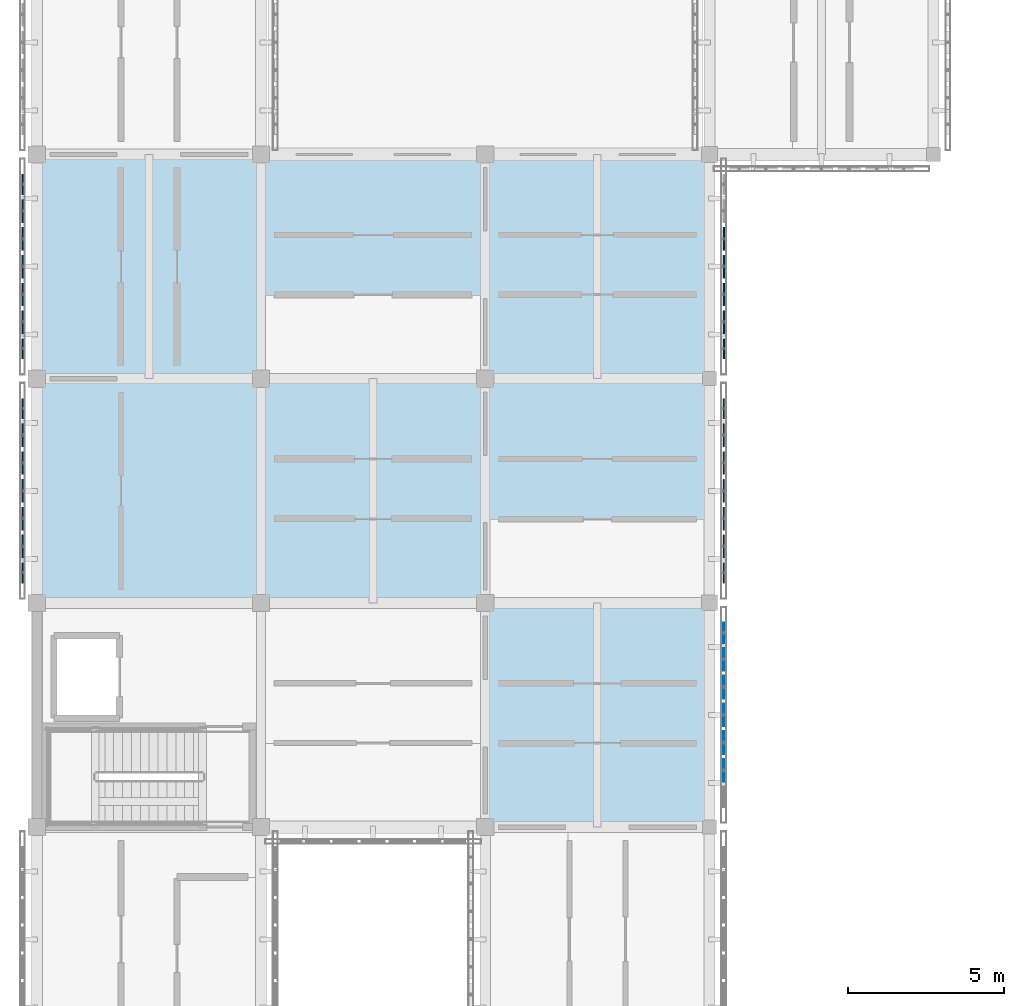
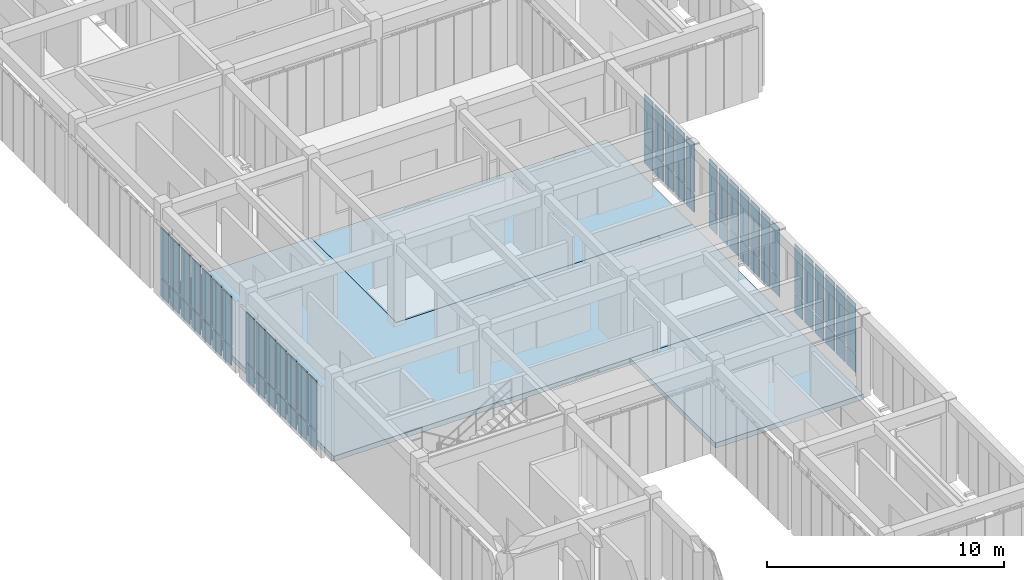
# One storey, part 46 of 91: 64 plates, 3 slabs, 5 elements without a shape of their own.
"""IFC4 building model written with IfcOpenShell, lengths in metres."""

from ifc_helpers import new_model, si_unit, direction, frame, origin, origin_2d, place, context, subcontext, project, spatial, polyline, rectangle, outline, extrude, material, layer, layer_set, type_object, element, aggregate, save


model = new_model("IFC4")

# Units and contexts
model_context = context("Model", 3, precision=1e-05, world=origin(), true_north=direction((0.0, 1.0)))
body_context = subcontext(model_context, "Body", "Model", "MODEL_VIEW")
ifc_project = project(units=[si_unit("LENGTHUNIT", "METRE"), si_unit("AREAUNIT", "SQUARE_METRE"), si_unit("VOLUMEUNIT", "CUBIC_METRE"), si_unit("PLANEANGLEUNIT", "RADIAN"), si_unit("MASSUNIT", "GRAM", prefix="KILO")], contexts=[model_context])

# Site, building, storey
site_placement = place(None, origin())
site = spatial("IfcSite", under=ifc_project, at=site_placement, CompositionType="ELEMENT")
building_placement = place(site_placement, origin())
building = spatial("IfcBuilding", under=site, at=building_placement, Name="Aldebral Square Health Centre", CompositionType="ELEMENT")
storey_placement = place(building_placement, frame((0.0, 0.0, 9.0)))
storey = spatial("IfcBuildingStorey", under=building, at=storey_placement, Name="L02", CompositionType="ELEMENT", Elevation=9.0)

# Curtain wall, plates
ifc_material_1 = material(Name="Aluminium and low-E solar glass", Category="aluminium")
curtain_wall_type = type_object("IfcCurtainWallType", Name="CW-FIN-SYS", PredefinedType="USERDEFINED", material=ifc_material_1)
curtain_wall_1_placement = place(storey_placement, origin())
curtain_wall_1 = element("IfcCurtainWall", 1, at=curtain_wall_1_placement, inside=storey, type_object=curtain_wall_type, Name="L02 V6 finned curtain wall L02-V6-02-04-E", ObjectType="SOLAR_CURTAIN_WALL", PredefinedType="USERDEFINED")
ifc_material_2 = material(Name="Solar-control low-E double glass", Category="glass")
ifc_layer_1 = layer(ifc_material_2, 0.030029296875, Name="Solar-control low-E double glass", Category="glass")
ifc_layer_set_1 = layer_set([ifc_layer_1], Name="Solar-control low-E double glass")
plate_type_1 = type_object("IfcPlateType", Name="CWP-GLZ-2", PredefinedType="CURTAIN_PANEL", material=ifc_layer_set_1)
plate_1_placement = place(storey_placement, frame((22.06005859375, 30.6171875, 0.074951171875), z_axis=(0.0, 0.0, 1.0), x_axis=(0.0, 1.0, 0.0)))
plate_1 = element("IfcPlate", 2, at=plate_1_placement, type_object=plate_type_1, Name="CW1 panel 2.1", PredefinedType="CURTAIN_PANEL", context=body_context, shape_type="SweptSolid", body=[
    extrude(rectangle(XDim=0.7314453125, YDim=0.030029296875, at=origin_2d()), origin(), (0.0, 0.0, 1.0), 0.9375),
])
plate_2_placement = place(storey_placement, frame((22.06005859375, 30.6171875, 1.08740234375), z_axis=(0.0, 0.0, 1.0), x_axis=(0.0, 1.0, 0.0)))
plate_2 = element("IfcPlate", 3, at=plate_2_placement, type_object=plate_type_1, Name="CW1 panel 2.2", PredefinedType="CURTAIN_PANEL", context=body_context, shape_type="SweptSolid", body=[
    extrude(rectangle(XDim=0.7314453125, YDim=0.030029296875, at=origin_2d()), origin(), (0.0, 0.0, 1.0), 2.527587890625),
])
plate_3_placement = place(storey_placement, frame((22.06005859375, 31.508544921875, 0.074951171875), z_axis=(0.0, 0.0, 1.0), x_axis=(0.0, 1.0, 0.0)))
plate_3 = element("IfcPlate", 4, at=plate_3_placement, type_object=plate_type_1, Name="CW1 panel 3.1", PredefinedType="CURTAIN_PANEL", context=body_context, shape_type="SweptSolid", body=[
    extrude(rectangle(XDim=0.7314453125, YDim=0.030029296875, at=origin_2d()), origin(), (0.0, 0.0, 1.0), 0.9375),
])
plate_4_placement = place(storey_placement, frame((22.06005859375, 31.508544921875, 1.08740234375), z_axis=(0.0, 0.0, 1.0), x_axis=(0.0, 1.0, 0.0)))
plate_4 = element("IfcPlate", 5, at=plate_4_placement, type_object=plate_type_1, Name="CW1 panel 3.2", PredefinedType="CURTAIN_PANEL", context=body_context, shape_type="SweptSolid", body=[
    extrude(rectangle(XDim=0.7314453125, YDim=0.030029296875, at=origin_2d()), origin(), (0.0, 0.0, 1.0), 2.527587890625),
])
plate_5_placement = place(storey_placement, frame((22.06005859375, 32.39990234375, 0.074951171875), z_axis=(0.0, 0.0, 1.0), x_axis=(0.0, 1.0, 0.0)))
plate_5 = element("IfcPlate", 6, at=plate_5_placement, type_object=plate_type_1, Name="CW1 panel 4.1", PredefinedType="CURTAIN_PANEL", context=body_context, shape_type="SweptSolid", body=[
    extrude(rectangle(XDim=0.7314453125, YDim=0.030029296875, at=origin_2d()), origin(), (0.0, 0.0, 1.0), 0.9375),
])
plate_6_placement = place(storey_placement, frame((22.06005859375, 32.39990234375, 1.08740234375), z_axis=(0.0, 0.0, 1.0), x_axis=(0.0, 1.0, 0.0)))
plate_6 = element("IfcPlate", 7, at=plate_6_placement, type_object=plate_type_1, Name="CW1 panel 4.2", PredefinedType="CURTAIN_PANEL", context=body_context, shape_type="SweptSolid", body=[
    extrude(rectangle(XDim=0.7314453125, YDim=0.030029296875, at=origin_2d()), origin(), (0.0, 0.0, 1.0), 2.527587890625),
])
plate_7_placement = place(storey_placement, frame((22.06005859375, 33.29150390625, 0.074951171875), z_axis=(0.0, 0.0, 1.0), x_axis=(0.0, 1.0, 0.0)))
plate_7 = element("IfcPlate", 8, at=plate_7_placement, type_object=plate_type_1, Name="CW1 panel 5.1", PredefinedType="CURTAIN_PANEL", context=body_context, shape_type="SweptSolid", body=[
    extrude(rectangle(XDim=0.7314453125, YDim=0.030029296875, at=origin_2d()), origin(), (0.0, 0.0, 1.0), 0.9375),
])
plate_8_placement = place(storey_placement, frame((22.06005859375, 33.29150390625, 1.08740234375), z_axis=(0.0, 0.0, 1.0), x_axis=(0.0, 1.0, 0.0)))
plate_8 = element("IfcPlate", 9, at=plate_8_placement, type_object=plate_type_1, Name="CW1 panel 5.2", PredefinedType="CURTAIN_PANEL", context=body_context, shape_type="SweptSolid", body=[
    extrude(rectangle(XDim=0.7314453125, YDim=0.030029296875, at=origin_2d()), origin(), (0.0, 0.0, 1.0), 2.527587890625),
])
plate_9_placement = place(storey_placement, frame((22.06005859375, 34.182861328125, 0.074951171875), z_axis=(0.0, 0.0, 1.0), x_axis=(0.0, 1.0, 0.0)))
plate_9 = element("IfcPlate", 10, at=plate_9_placement, type_object=plate_type_1, Name="CW1 panel 6.1", PredefinedType="CURTAIN_PANEL", context=body_context, shape_type="SweptSolid", body=[
    extrude(rectangle(XDim=0.7314453125, YDim=0.030029296875, at=origin_2d()), origin(), (0.0, 0.0, 1.0), 0.9375),
])
plate_10_placement = place(storey_placement, frame((22.06005859375, 34.182861328125, 1.08740234375), z_axis=(0.0, 0.0, 1.0), x_axis=(0.0, 1.0, 0.0)))
plate_10 = element("IfcPlate", 11, at=plate_10_placement, type_object=plate_type_1, Name="CW1 panel 6.2", PredefinedType="CURTAIN_PANEL", context=body_context, shape_type="SweptSolid", body=[
    extrude(rectangle(XDim=0.7314453125, YDim=0.030029296875, at=origin_2d()), origin(), (0.0, 0.0, 1.0), 2.527587890625),
])
plate_11_placement = place(storey_placement, frame((22.06005859375, 35.0341796875, 0.074951171875), z_axis=(0.0, 0.0, 1.0), x_axis=(0.0, 1.0, 0.0)))
plate_11 = element("IfcPlate", 12, at=plate_11_placement, type_object=plate_type_1, Name="CW1 panel 7.1", PredefinedType="CURTAIN_PANEL", context=body_context, shape_type="SweptSolid", body=[
    extrude(rectangle(XDim=0.6513671875, YDim=0.030029296875, at=origin_2d()), origin(), (0.0, 0.0, 1.0), 0.9375),
])
plate_12_placement = place(storey_placement, frame((22.06005859375, 35.0341796875, 1.08740234375), z_axis=(0.0, 0.0, 1.0), x_axis=(0.0, 1.0, 0.0)))
plate_12 = element("IfcPlate", 13, at=plate_12_placement, type_object=plate_type_1, Name="CW1 panel 7.2", PredefinedType="CURTAIN_PANEL", context=body_context, shape_type="SweptSolid", body=[
    extrude(rectangle(XDim=0.6513671875, YDim=0.030029296875, at=origin_2d()), origin(), (0.0, 0.0, 1.0), 2.527587890625),
])
aggregate(curtain_wall_1, [plate_1, plate_2, plate_3, plate_4, plate_5, plate_6, plate_7, plate_8, plate_9, plate_10, plate_11, plate_12])

curtain_wall_2_placement = place(storey_placement, origin())
curtain_wall_2 = element("IfcCurtainWall", 14, at=curtain_wall_2_placement, inside=storey, type_object=curtain_wall_type, Name="L02 V6 finned curtain wall L02-V6-00-05-W", ObjectType="SOLAR_CURTAIN_WALL", PredefinedType="USERDEFINED")
ifc_layer_2 = layer(ifc_material_2, 0.0400390625, Name="Solar-control low-E double glass", Category="glass")
ifc_layer_set_2 = layer_set([ifc_layer_2], Name="Solar-control low-E double glass")
plate_type_2 = type_object("IfcPlateType", Name="CWP-GLZ-3", PredefinedType="CURTAIN_PANEL", material=ifc_layer_set_2)
plate_13_placement = place(storey_placement, frame((-0.4599609375, 42.234375, 0.074951171875), z_axis=(0.0, 0.0, 1.0), x_axis=(0.0, -1.0, 0.0)))
plate_13 = element("IfcPlate", 15, at=plate_13_placement, type_object=plate_type_2, Name="CW1 panel 1.1", PredefinedType="CURTAIN_PANEL", context=body_context, shape_type="SweptSolid", body=[
    extrude(rectangle(XDim=0.6513671875, YDim=0.0400390625, at=origin_2d()), origin(), (0.0, 0.0, 1.0), 0.9375),
])
plate_14_placement = place(storey_placement, frame((-0.4599609375, 42.234375, 1.08740234375), z_axis=(0.0, 0.0, 1.0), x_axis=(0.0, -1.0, 0.0)))
plate_14 = element("IfcPlate", 16, at=plate_14_placement, type_object=plate_type_2, Name="CW1 panel 1.2", PredefinedType="CURTAIN_PANEL", context=body_context, shape_type="SweptSolid", body=[
    extrude(rectangle(XDim=0.6513671875, YDim=0.0400390625, at=origin_2d()), origin(), (0.0, 0.0, 1.0), 2.527587890625),
])
plate_15_placement = place(storey_placement, frame((-0.4599609375, 41.3828125, 0.074951171875), z_axis=(0.0, 0.0, 1.0), x_axis=(0.0, -1.0, 0.0)))
plate_15 = element("IfcPlate", 17, at=plate_15_placement, type_object=plate_type_2, Name="CW1 panel 2.1", PredefinedType="CURTAIN_PANEL", context=body_context, shape_type="SweptSolid", body=[
    extrude(rectangle(XDim=0.7314453125, YDim=0.0400390625, at=origin_2d()), origin(), (0.0, 0.0, 1.0), 0.9375),
])
plate_16_placement = place(storey_placement, frame((-0.4599609375, 41.3828125, 1.08740234375), z_axis=(0.0, 0.0, 1.0), x_axis=(0.0, -1.0, 0.0)))
plate_16 = element("IfcPlate", 18, at=plate_16_placement, type_object=plate_type_2, Name="CW1 panel 2.2", PredefinedType="CURTAIN_PANEL", context=body_context, shape_type="SweptSolid", body=[
    extrude(rectangle(XDim=0.7314453125, YDim=0.0400390625, at=origin_2d()), origin(), (0.0, 0.0, 1.0), 2.527587890625),
])
plate_17_placement = place(storey_placement, frame((-0.4599609375, 40.491455078125, 0.074951171875), z_axis=(0.0, 0.0, 1.0), x_axis=(0.0, -1.0, 0.0)))
plate_17 = element("IfcPlate", 19, at=plate_17_placement, type_object=plate_type_2, Name="CW1 panel 3.1", PredefinedType="CURTAIN_PANEL", context=body_context, shape_type="SweptSolid", body=[
    extrude(rectangle(XDim=0.7314453125, YDim=0.0400390625, at=origin_2d()), origin(), (0.0, 0.0, 1.0), 0.9375),
])
plate_18_placement = place(storey_placement, frame((-0.4599609375, 40.491455078125, 1.08740234375), z_axis=(0.0, 0.0, 1.0), x_axis=(0.0, -1.0, 0.0)))
plate_18 = element("IfcPlate", 20, at=plate_18_placement, type_object=plate_type_2, Name="CW1 panel 3.2", PredefinedType="CURTAIN_PANEL", context=body_context, shape_type="SweptSolid", body=[
    extrude(rectangle(XDim=0.7314453125, YDim=0.0400390625, at=origin_2d()), origin(), (0.0, 0.0, 1.0), 2.527587890625),
])
plate_19_placement = place(storey_placement, frame((-0.4599609375, 39.60009765625, 0.074951171875), z_axis=(0.0, 0.0, 1.0), x_axis=(0.0, -1.0, 0.0)))
plate_19 = element("IfcPlate", 21, at=plate_19_placement, type_object=plate_type_2, Name="CW1 panel 4.1", PredefinedType="CURTAIN_PANEL", context=body_context, shape_type="SweptSolid", body=[
    extrude(rectangle(XDim=0.7314453125, YDim=0.0400390625, at=origin_2d()), origin(), (0.0, 0.0, 1.0), 0.9375),
])
plate_20_placement = place(storey_placement, frame((-0.4599609375, 39.60009765625, 1.08740234375), z_axis=(0.0, 0.0, 1.0), x_axis=(0.0, -1.0, 0.0)))
plate_20 = element("IfcPlate", 22, at=plate_20_placement, type_object=plate_type_2, Name="CW1 panel 4.2", PredefinedType="CURTAIN_PANEL", context=body_context, shape_type="SweptSolid", body=[
    extrude(rectangle(XDim=0.7314453125, YDim=0.0400390625, at=origin_2d()), origin(), (0.0, 0.0, 1.0), 2.527587890625),
])
plate_21_placement = place(storey_placement, frame((-0.4599609375, 38.70849609375, 0.074951171875), z_axis=(0.0, 0.0, 1.0), x_axis=(0.0, -1.0, 0.0)))
plate_21 = element("IfcPlate", 23, at=plate_21_placement, type_object=plate_type_2, Name="CW1 panel 5.1", PredefinedType="CURTAIN_PANEL", context=body_context, shape_type="SweptSolid", body=[
    extrude(rectangle(XDim=0.7314453125, YDim=0.0400390625, at=origin_2d()), origin(), (0.0, 0.0, 1.0), 0.9375),
])
plate_22_placement = place(storey_placement, frame((-0.4599609375, 38.70849609375, 1.08740234375), z_axis=(0.0, 0.0, 1.0), x_axis=(0.0, -1.0, 0.0)))
plate_22 = element("IfcPlate", 24, at=plate_22_placement, type_object=plate_type_2, Name="CW1 panel 5.2", PredefinedType="CURTAIN_PANEL", context=body_context, shape_type="SweptSolid", body=[
    extrude(rectangle(XDim=0.7314453125, YDim=0.0400390625, at=origin_2d()), origin(), (0.0, 0.0, 1.0), 2.527587890625),
])
plate_23_placement = place(storey_placement, frame((-0.4599609375, 37.817138671875, 0.074951171875), z_axis=(0.0, 0.0, 1.0), x_axis=(0.0, -1.0, 0.0)))
plate_23 = element("IfcPlate", 25, at=plate_23_placement, type_object=plate_type_2, Name="CW1 panel 6.1", PredefinedType="CURTAIN_PANEL", context=body_context, shape_type="SweptSolid", body=[
    extrude(rectangle(XDim=0.7314453125, YDim=0.0400390625, at=origin_2d()), origin(), (0.0, 0.0, 1.0), 0.9375),
])
plate_24_placement = place(storey_placement, frame((-0.4599609375, 37.817138671875, 1.08740234375), z_axis=(0.0, 0.0, 1.0), x_axis=(0.0, -1.0, 0.0)))
plate_24 = element("IfcPlate", 26, at=plate_24_placement, type_object=plate_type_2, Name="CW1 panel 6.2", PredefinedType="CURTAIN_PANEL", context=body_context, shape_type="SweptSolid", body=[
    extrude(rectangle(XDim=0.7314453125, YDim=0.0400390625, at=origin_2d()), origin(), (0.0, 0.0, 1.0), 2.527587890625),
])
plate_25_placement = place(storey_placement, frame((-0.4599609375, 36.9658203125, 0.074951171875), z_axis=(0.0, 0.0, 1.0), x_axis=(0.0, -1.0, 0.0)))
plate_25 = element("IfcPlate", 27, at=plate_25_placement, type_object=plate_type_2, Name="CW1 panel 7.1", PredefinedType="CURTAIN_PANEL", context=body_context, shape_type="SweptSolid", body=[
    extrude(rectangle(XDim=0.6513671875, YDim=0.0400390625, at=origin_2d()), origin(), (0.0, 0.0, 1.0), 0.9375),
])
plate_26_placement = place(storey_placement, frame((-0.4599609375, 36.9658203125, 1.08740234375), z_axis=(0.0, 0.0, 1.0), x_axis=(0.0, -1.0, 0.0)))
plate_26 = element("IfcPlate", 28, at=plate_26_placement, type_object=plate_type_2, Name="CW1 panel 7.2", PredefinedType="CURTAIN_PANEL", context=body_context, shape_type="SweptSolid", body=[
    extrude(rectangle(XDim=0.6513671875, YDim=0.0400390625, at=origin_2d()), origin(), (0.0, 0.0, 1.0), 2.527587890625),
])
aggregate(curtain_wall_2, [plate_13, plate_14, plate_15, plate_16, plate_17, plate_18, plate_19, plate_20, plate_21, plate_22, plate_23, plate_24, plate_25, plate_26])

curtain_wall_3_placement = place(storey_placement, origin())
curtain_wall_3 = element("IfcCurtainWall", 29, at=curtain_wall_3_placement, inside=storey, type_object=curtain_wall_type, Name="L02 V6 finned curtain wall L02-V6-02-05-E", ObjectType="SOLAR_CURTAIN_WALL", PredefinedType="USERDEFINED")
plate_27_placement = place(storey_placement, frame((22.06005859375, 36.9658203125, 0.074951171875), z_axis=(0.0, 0.0, 1.0), x_axis=(0.0, 1.0, 0.0)))
plate_27 = element("IfcPlate", 30, at=plate_27_placement, type_object=plate_type_2, Name="CW1 panel 1.1", PredefinedType="CURTAIN_PANEL", context=body_context, shape_type="SweptSolid", body=[
    extrude(rectangle(XDim=0.6513671875, YDim=0.0400390625, at=origin_2d()), origin(), (0.0, 0.0, 1.0), 0.9375),
])
plate_28_placement = place(storey_placement, frame((22.06005859375, 36.9658203125, 1.08740234375), z_axis=(0.0, 0.0, 1.0), x_axis=(0.0, 1.0, 0.0)))
plate_28 = element("IfcPlate", 31, at=plate_28_placement, type_object=plate_type_2, Name="CW1 panel 1.2", PredefinedType="CURTAIN_PANEL", context=body_context, shape_type="SweptSolid", body=[
    extrude(rectangle(XDim=0.6513671875, YDim=0.0400390625, at=origin_2d()), origin(), (0.0, 0.0, 1.0), 2.527587890625),
])
plate_29_placement = place(storey_placement, frame((22.06005859375, 37.817138671875, 0.074951171875), z_axis=(0.0, 0.0, 1.0), x_axis=(0.0, 1.0, 0.0)))
plate_29 = element("IfcPlate", 32, at=plate_29_placement, type_object=plate_type_2, Name="CW1 panel 2.1", PredefinedType="CURTAIN_PANEL", context=body_context, shape_type="SweptSolid", body=[
    extrude(rectangle(XDim=0.7314453125, YDim=0.0400390625, at=origin_2d()), origin(), (0.0, 0.0, 1.0), 0.9375),
])
plate_30_placement = place(storey_placement, frame((22.06005859375, 37.817138671875, 1.08740234375), z_axis=(0.0, 0.0, 1.0), x_axis=(0.0, 1.0, 0.0)))
plate_30 = element("IfcPlate", 33, at=plate_30_placement, type_object=plate_type_2, Name="CW1 panel 2.2", PredefinedType="CURTAIN_PANEL", context=body_context, shape_type="SweptSolid", body=[
    extrude(rectangle(XDim=0.7314453125, YDim=0.0400390625, at=origin_2d()), origin(), (0.0, 0.0, 1.0), 2.527587890625),
])
plate_31_placement = place(storey_placement, frame((22.06005859375, 38.70849609375, 0.074951171875), z_axis=(0.0, 0.0, 1.0), x_axis=(0.0, 1.0, 0.0)))
plate_31 = element("IfcPlate", 34, at=plate_31_placement, type_object=plate_type_2, Name="CW1 panel 3.1", PredefinedType="CURTAIN_PANEL", context=body_context, shape_type="SweptSolid", body=[
    extrude(rectangle(XDim=0.7314453125, YDim=0.0400390625, at=origin_2d()), origin(), (0.0, 0.0, 1.0), 0.9375),
])
plate_32_placement = place(storey_placement, frame((22.06005859375, 38.70849609375, 1.08740234375), z_axis=(0.0, 0.0, 1.0), x_axis=(0.0, 1.0, 0.0)))
plate_32 = element("IfcPlate", 35, at=plate_32_placement, type_object=plate_type_2, Name="CW1 panel 3.2", PredefinedType="CURTAIN_PANEL", context=body_context, shape_type="SweptSolid", body=[
    extrude(rectangle(XDim=0.7314453125, YDim=0.0400390625, at=origin_2d()), origin(), (0.0, 0.0, 1.0), 2.527587890625),
])
plate_33_placement = place(storey_placement, frame((22.06005859375, 39.60009765625, 0.074951171875), z_axis=(0.0, 0.0, 1.0), x_axis=(0.0, 1.0, 0.0)))
plate_33 = element("IfcPlate", 36, at=plate_33_placement, type_object=plate_type_2, Name="CW1 panel 4.1", PredefinedType="CURTAIN_PANEL", context=body_context, shape_type="SweptSolid", body=[
    extrude(rectangle(XDim=0.7314453125, YDim=0.0400390625, at=origin_2d()), origin(), (0.0, 0.0, 1.0), 0.9375),
])
plate_34_placement = place(storey_placement, frame((22.06005859375, 39.60009765625, 1.08740234375), z_axis=(0.0, 0.0, 1.0), x_axis=(0.0, 1.0, 0.0)))
plate_34 = element("IfcPlate", 37, at=plate_34_placement, type_object=plate_type_2, Name="CW1 panel 4.2", PredefinedType="CURTAIN_PANEL", context=body_context, shape_type="SweptSolid", body=[
    extrude(rectangle(XDim=0.7314453125, YDim=0.0400390625, at=origin_2d()), origin(), (0.0, 0.0, 1.0), 2.527587890625),
])
plate_35_placement = place(storey_placement, frame((22.06005859375, 40.491455078125, 0.074951171875), z_axis=(0.0, 0.0, 1.0), x_axis=(0.0, 1.0, 0.0)))
plate_35 = element("IfcPlate", 38, at=plate_35_placement, type_object=plate_type_2, Name="CW1 panel 5.1", PredefinedType="CURTAIN_PANEL", context=body_context, shape_type="SweptSolid", body=[
    extrude(rectangle(XDim=0.7314453125, YDim=0.0400390625, at=origin_2d()), origin(), (0.0, 0.0, 1.0), 0.9375),
])
plate_36_placement = place(storey_placement, frame((22.06005859375, 40.491455078125, 1.08740234375), z_axis=(0.0, 0.0, 1.0), x_axis=(0.0, 1.0, 0.0)))
plate_36 = element("IfcPlate", 39, at=plate_36_placement, type_object=plate_type_2, Name="CW1 panel 5.2", PredefinedType="CURTAIN_PANEL", context=body_context, shape_type="SweptSolid", body=[
    extrude(rectangle(XDim=0.7314453125, YDim=0.0400390625, at=origin_2d()), origin(), (0.0, 0.0, 1.0), 2.527587890625),
])
plate_37_placement = place(storey_placement, frame((22.06005859375, 41.3828125, 0.074951171875), z_axis=(0.0, 0.0, 1.0), x_axis=(0.0, 1.0, 0.0)))
plate_37 = element("IfcPlate", 40, at=plate_37_placement, type_object=plate_type_2, Name="CW1 panel 6.1", PredefinedType="CURTAIN_PANEL", context=body_context, shape_type="SweptSolid", body=[
    extrude(rectangle(XDim=0.7314453125, YDim=0.0400390625, at=origin_2d()), origin(), (0.0, 0.0, 1.0), 0.9375),
])
plate_38_placement = place(storey_placement, frame((22.06005859375, 41.3828125, 1.08740234375), z_axis=(0.0, 0.0, 1.0), x_axis=(0.0, 1.0, 0.0)))
plate_38 = element("IfcPlate", 41, at=plate_38_placement, type_object=plate_type_2, Name="CW1 panel 6.2", PredefinedType="CURTAIN_PANEL", context=body_context, shape_type="SweptSolid", body=[
    extrude(rectangle(XDim=0.7314453125, YDim=0.0400390625, at=origin_2d()), origin(), (0.0, 0.0, 1.0), 2.527587890625),
])
plate_39_placement = place(storey_placement, frame((22.06005859375, 42.234375, 0.074951171875), z_axis=(0.0, 0.0, 1.0), x_axis=(0.0, 1.0, 0.0)))
plate_39 = element("IfcPlate", 42, at=plate_39_placement, type_object=plate_type_2, Name="CW1 panel 7.1", PredefinedType="CURTAIN_PANEL", context=body_context, shape_type="SweptSolid", body=[
    extrude(rectangle(XDim=0.6513671875, YDim=0.0400390625, at=origin_2d()), origin(), (0.0, 0.0, 1.0), 0.9375),
])
plate_40_placement = place(storey_placement, frame((22.06005859375, 42.234375, 1.08740234375), z_axis=(0.0, 0.0, 1.0), x_axis=(0.0, 1.0, 0.0)))
plate_40 = element("IfcPlate", 43, at=plate_40_placement, type_object=plate_type_2, Name="CW1 panel 7.2", PredefinedType="CURTAIN_PANEL", context=body_context, shape_type="SweptSolid", body=[
    extrude(rectangle(XDim=0.6513671875, YDim=0.0400390625, at=origin_2d()), origin(), (0.0, 0.0, 1.0), 2.527587890625),
])
aggregate(curtain_wall_3, [plate_27, plate_28, plate_29, plate_30, plate_31, plate_32, plate_33, plate_34, plate_35, plate_36, plate_37, plate_38, plate_39, plate_40])

curtain_wall_4_placement = place(storey_placement, origin())
curtain_wall_4 = element("IfcCurtainWall", 44, at=curtain_wall_4_placement, inside=storey, type_object=curtain_wall_type, Name="L02 V6 finned curtain wall L02-V6-00-06-W", ObjectType="SOLAR_CURTAIN_WALL", PredefinedType="USERDEFINED")
ifc_layer_3 = layer(ifc_material_2, 0.050048828125, Name="Solar-control low-E double glass", Category="glass")
ifc_layer_set_3 = layer_set([ifc_layer_3], Name="Solar-control low-E double glass")
plate_type_3 = type_object("IfcPlateType", Name="CWP-GLZ-4", PredefinedType="CURTAIN_PANEL", material=ifc_layer_set_3)
plate_41_placement = place(storey_placement, frame((-0.4599609375, 49.434326171875, 0.074951171875), z_axis=(0.0, 0.0, 1.0), x_axis=(0.0, -1.0, 0.0)))
plate_41 = element("IfcPlate", 45, at=plate_41_placement, type_object=plate_type_3, Name="CW1 panel 1.1", PredefinedType="CURTAIN_PANEL", context=body_context, shape_type="SweptSolid", body=[
    extrude(rectangle(XDim=0.6513671875, YDim=0.050048828125, at=origin_2d()), origin(), (0.0, 0.0, 1.0), 0.9375),
])
plate_42_placement = place(storey_placement, frame((-0.4599609375, 49.434326171875, 1.08740234375), z_axis=(0.0, 0.0, 1.0), x_axis=(0.0, -1.0, 0.0)))
plate_42 = element("IfcPlate", 46, at=plate_42_placement, type_object=plate_type_3, Name="CW1 panel 1.2", PredefinedType="CURTAIN_PANEL", context=body_context, shape_type="SweptSolid", body=[
    extrude(rectangle(XDim=0.6513671875, YDim=0.050048828125, at=origin_2d()), origin(), (0.0, 0.0, 1.0), 2.527587890625),
])
plate_43_placement = place(storey_placement, frame((-0.4599609375, 48.582763671875, 0.074951171875), z_axis=(0.0, 0.0, 1.0), x_axis=(0.0, -1.0, 0.0)))
plate_43 = element("IfcPlate", 47, at=plate_43_placement, type_object=plate_type_3, Name="CW1 panel 2.1", PredefinedType="CURTAIN_PANEL", context=body_context, shape_type="SweptSolid", body=[
    extrude(rectangle(XDim=0.7314453125, YDim=0.050048828125, at=origin_2d()), origin(), (0.0, 0.0, 1.0), 0.9375),
])
plate_44_placement = place(storey_placement, frame((-0.4599609375, 48.582763671875, 1.08740234375), z_axis=(0.0, 0.0, 1.0), x_axis=(0.0, -1.0, 0.0)))
plate_44 = element("IfcPlate", 48, at=plate_44_placement, type_object=plate_type_3, Name="CW1 panel 2.2", PredefinedType="CURTAIN_PANEL", context=body_context, shape_type="SweptSolid", body=[
    extrude(rectangle(XDim=0.7314453125, YDim=0.050048828125, at=origin_2d()), origin(), (0.0, 0.0, 1.0), 2.527587890625),
])
plate_45_placement = place(storey_placement, frame((-0.4599609375, 47.69140625, 0.074951171875), z_axis=(0.0, 0.0, 1.0), x_axis=(0.0, -1.0, 0.0)))
plate_45 = element("IfcPlate", 49, at=plate_45_placement, type_object=plate_type_3, Name="CW1 panel 3.1", PredefinedType="CURTAIN_PANEL", context=body_context, shape_type="SweptSolid", body=[
    extrude(rectangle(XDim=0.7314453125, YDim=0.050048828125, at=origin_2d()), origin(), (0.0, 0.0, 1.0), 0.9375),
])
plate_46_placement = place(storey_placement, frame((-0.4599609375, 47.69140625, 1.08740234375), z_axis=(0.0, 0.0, 1.0), x_axis=(0.0, -1.0, 0.0)))
plate_46 = element("IfcPlate", 50, at=plate_46_placement, type_object=plate_type_3, Name="CW1 panel 3.2", PredefinedType="CURTAIN_PANEL", context=body_context, shape_type="SweptSolid", body=[
    extrude(rectangle(XDim=0.7314453125, YDim=0.050048828125, at=origin_2d()), origin(), (0.0, 0.0, 1.0), 2.527587890625),
])
plate_47_placement = place(storey_placement, frame((-0.4599609375, 46.800048828125, 0.074951171875), z_axis=(0.0, 0.0, 1.0), x_axis=(0.0, -1.0, 0.0)))
plate_47 = element("IfcPlate", 51, at=plate_47_placement, type_object=plate_type_3, Name="CW1 panel 4.1", PredefinedType="CURTAIN_PANEL", context=body_context, shape_type="SweptSolid", body=[
    extrude(rectangle(XDim=0.7314453125, YDim=0.050048828125, at=origin_2d()), origin(), (0.0, 0.0, 1.0), 0.9375),
])
plate_48_placement = place(storey_placement, frame((-0.4599609375, 46.800048828125, 1.08740234375), z_axis=(0.0, 0.0, 1.0), x_axis=(0.0, -1.0, 0.0)))
plate_48 = element("IfcPlate", 52, at=plate_48_placement, type_object=plate_type_3, Name="CW1 panel 4.2", PredefinedType="CURTAIN_PANEL", context=body_context, shape_type="SweptSolid", body=[
    extrude(rectangle(XDim=0.7314453125, YDim=0.050048828125, at=origin_2d()), origin(), (0.0, 0.0, 1.0), 2.527587890625),
])
plate_49_placement = place(storey_placement, frame((-0.4599609375, 45.90869140625, 0.074951171875), z_axis=(0.0, 0.0, 1.0), x_axis=(0.0, -1.0, 0.0)))
plate_49 = element("IfcPlate", 53, at=plate_49_placement, type_object=plate_type_3, Name="CW1 panel 5.1", PredefinedType="CURTAIN_PANEL", context=body_context, shape_type="SweptSolid", body=[
    extrude(rectangle(XDim=0.7314453125, YDim=0.050048828125, at=origin_2d()), origin(), (0.0, 0.0, 1.0), 0.9375),
])
plate_50_placement = place(storey_placement, frame((-0.4599609375, 45.90869140625, 1.08740234375), z_axis=(0.0, 0.0, 1.0), x_axis=(0.0, -1.0, 0.0)))
plate_50 = element("IfcPlate", 54, at=plate_50_placement, type_object=plate_type_3, Name="CW1 panel 5.2", PredefinedType="CURTAIN_PANEL", context=body_context, shape_type="SweptSolid", body=[
    extrude(rectangle(XDim=0.7314453125, YDim=0.050048828125, at=origin_2d()), origin(), (0.0, 0.0, 1.0), 2.527587890625),
])
plate_51_placement = place(storey_placement, frame((-0.4599609375, 45.01708984375, 0.074951171875), z_axis=(0.0, 0.0, 1.0), x_axis=(0.0, -1.0, 0.0)))
plate_51 = element("IfcPlate", 55, at=plate_51_placement, type_object=plate_type_3, Name="CW1 panel 6.1", PredefinedType="CURTAIN_PANEL", context=body_context, shape_type="SweptSolid", body=[
    extrude(rectangle(XDim=0.7314453125, YDim=0.050048828125, at=origin_2d()), origin(), (0.0, 0.0, 1.0), 0.9375),
])
plate_52_placement = place(storey_placement, frame((-0.4599609375, 45.01708984375, 1.08740234375), z_axis=(0.0, 0.0, 1.0), x_axis=(0.0, -1.0, 0.0)))
plate_52 = element("IfcPlate", 56, at=plate_52_placement, type_object=plate_type_3, Name="CW1 panel 6.2", PredefinedType="CURTAIN_PANEL", context=body_context, shape_type="SweptSolid", body=[
    extrude(rectangle(XDim=0.7314453125, YDim=0.050048828125, at=origin_2d()), origin(), (0.0, 0.0, 1.0), 2.527587890625),
])
plate_53_placement = place(storey_placement, frame((-0.4599609375, 44.165771484375, 0.074951171875), z_axis=(0.0, 0.0, 1.0), x_axis=(0.0, -1.0, 0.0)))
plate_53 = element("IfcPlate", 57, at=plate_53_placement, type_object=plate_type_3, Name="CW1 panel 7.1", PredefinedType="CURTAIN_PANEL", context=body_context, shape_type="SweptSolid", body=[
    extrude(rectangle(XDim=0.6513671875, YDim=0.050048828125, at=origin_2d()), origin(), (0.0, 0.0, 1.0), 0.9375),
])
plate_54_placement = place(storey_placement, frame((-0.4599609375, 44.165771484375, 1.08740234375), z_axis=(0.0, 0.0, 1.0), x_axis=(0.0, -1.0, 0.0)))
plate_54 = element("IfcPlate", 58, at=plate_54_placement, type_object=plate_type_3, Name="CW1 panel 7.2", PredefinedType="CURTAIN_PANEL", context=body_context, shape_type="SweptSolid", body=[
    extrude(rectangle(XDim=0.6513671875, YDim=0.050048828125, at=origin_2d()), origin(), (0.0, 0.0, 1.0), 2.527587890625),
])
aggregate(curtain_wall_4, [plate_41, plate_42, plate_43, plate_44, plate_45, plate_46, plate_47, plate_48, plate_49, plate_50, plate_51, plate_52, plate_53, plate_54])

curtain_wall_5_placement = place(storey_placement, origin())
curtain_wall_5 = element("IfcCurtainWall", 59, at=curtain_wall_5_placement, inside=storey, type_object=curtain_wall_type, Name="L02 V6 finned curtain wall L02-V6-02-06-E", ObjectType="SOLAR_CURTAIN_WALL", PredefinedType="USERDEFINED")
plate_55_placement = place(storey_placement, frame((22.06005859375, 44.165771484375, 0.074951171875), z_axis=(0.0, 0.0, 1.0), x_axis=(0.0, 1.0, 0.0)))
plate_55 = element("IfcPlate", 60, at=plate_55_placement, type_object=plate_type_3, Name="CW1 panel 1.1", PredefinedType="CURTAIN_PANEL", context=body_context, shape_type="SweptSolid", body=[
    extrude(rectangle(XDim=0.6513671875, YDim=0.050048828125, at=origin_2d()), origin(), (0.0, 0.0, 1.0), 0.9375),
])
plate_56_placement = place(storey_placement, frame((22.06005859375, 44.165771484375, 1.08740234375), z_axis=(0.0, 0.0, 1.0), x_axis=(0.0, 1.0, 0.0)))
plate_56 = element("IfcPlate", 61, at=plate_56_placement, type_object=plate_type_3, Name="CW1 panel 1.2", PredefinedType="CURTAIN_PANEL", context=body_context, shape_type="SweptSolid", body=[
    extrude(rectangle(XDim=0.6513671875, YDim=0.050048828125, at=origin_2d()), origin(), (0.0, 0.0, 1.0), 2.527587890625),
])
plate_57_placement = place(storey_placement, frame((22.06005859375, 45.01708984375, 0.074951171875), z_axis=(0.0, 0.0, 1.0), x_axis=(0.0, 1.0, 0.0)))
plate_57 = element("IfcPlate", 62, at=plate_57_placement, type_object=plate_type_3, Name="CW1 panel 2.1", PredefinedType="CURTAIN_PANEL", context=body_context, shape_type="SweptSolid", body=[
    extrude(rectangle(XDim=0.7314453125, YDim=0.050048828125, at=origin_2d()), origin(), (0.0, 0.0, 1.0), 0.9375),
])
plate_58_placement = place(storey_placement, frame((22.06005859375, 45.01708984375, 1.08740234375), z_axis=(0.0, 0.0, 1.0), x_axis=(0.0, 1.0, 0.0)))
plate_58 = element("IfcPlate", 63, at=plate_58_placement, type_object=plate_type_3, Name="CW1 panel 2.2", PredefinedType="CURTAIN_PANEL", context=body_context, shape_type="SweptSolid", body=[
    extrude(rectangle(XDim=0.7314453125, YDim=0.050048828125, at=origin_2d()), origin(), (0.0, 0.0, 1.0), 2.527587890625),
])
plate_59_placement = place(storey_placement, frame((22.06005859375, 45.90869140625, 0.074951171875), z_axis=(0.0, 0.0, 1.0), x_axis=(0.0, 1.0, 0.0)))
plate_59 = element("IfcPlate", 64, at=plate_59_placement, type_object=plate_type_3, Name="CW1 panel 3.1", PredefinedType="CURTAIN_PANEL", context=body_context, shape_type="SweptSolid", body=[
    extrude(rectangle(XDim=0.7314453125, YDim=0.050048828125, at=origin_2d()), origin(), (0.0, 0.0, 1.0), 0.9375),
])
plate_60_placement = place(storey_placement, frame((22.06005859375, 45.90869140625, 1.08740234375), z_axis=(0.0, 0.0, 1.0), x_axis=(0.0, 1.0, 0.0)))
plate_60 = element("IfcPlate", 65, at=plate_60_placement, type_object=plate_type_3, Name="CW1 panel 3.2", PredefinedType="CURTAIN_PANEL", context=body_context, shape_type="SweptSolid", body=[
    extrude(rectangle(XDim=0.7314453125, YDim=0.050048828125, at=origin_2d()), origin(), (0.0, 0.0, 1.0), 2.527587890625),
])
plate_61_placement = place(storey_placement, frame((22.06005859375, 46.800048828125, 0.074951171875), z_axis=(0.0, 0.0, 1.0), x_axis=(0.0, 1.0, 0.0)))
plate_61 = element("IfcPlate", 66, at=plate_61_placement, type_object=plate_type_3, Name="CW1 panel 4.1", PredefinedType="CURTAIN_PANEL", context=body_context, shape_type="SweptSolid", body=[
    extrude(rectangle(XDim=0.7314453125, YDim=0.050048828125, at=origin_2d()), origin(), (0.0, 0.0, 1.0), 0.9375),
])
plate_62_placement = place(storey_placement, frame((22.06005859375, 46.800048828125, 1.08740234375), z_axis=(0.0, 0.0, 1.0), x_axis=(0.0, 1.0, 0.0)))
plate_62 = element("IfcPlate", 67, at=plate_62_placement, type_object=plate_type_3, Name="CW1 panel 4.2", PredefinedType="CURTAIN_PANEL", context=body_context, shape_type="SweptSolid", body=[
    extrude(rectangle(XDim=0.7314453125, YDim=0.050048828125, at=origin_2d()), origin(), (0.0, 0.0, 1.0), 2.527587890625),
])
plate_63_placement = place(storey_placement, frame((22.06005859375, 47.69140625, 0.074951171875), z_axis=(0.0, 0.0, 1.0), x_axis=(0.0, 1.0, 0.0)))
plate_63 = element("IfcPlate", 68, at=plate_63_placement, type_object=plate_type_3, Name="CW1 panel 5.1", PredefinedType="CURTAIN_PANEL", context=body_context, shape_type="SweptSolid", body=[
    extrude(rectangle(XDim=0.7314453125, YDim=0.050048828125, at=origin_2d()), origin(), (0.0, 0.0, 1.0), 0.9375),
])
plate_64_placement = place(storey_placement, frame((22.06005859375, 47.69140625, 1.08740234375), z_axis=(0.0, 0.0, 1.0), x_axis=(0.0, 1.0, 0.0)))
plate_64 = element("IfcPlate", 69, at=plate_64_placement, type_object=plate_type_3, Name="CW1 panel 5.2", PredefinedType="CURTAIN_PANEL", context=body_context, shape_type="SweptSolid", body=[
    extrude(rectangle(XDim=0.7314453125, YDim=0.050048828125, at=origin_2d()), origin(), (0.0, 0.0, 1.0), 2.527587890625),
])
aggregate(curtain_wall_5, [plate_55, plate_56, plate_57, plate_58, plate_59, plate_60, plate_61, plate_62, plate_63, plate_64])

# Slabs
ifc_material_3 = material(Name="Concrete C35/45", Category="concrete")
ifc_layer_4 = layer(ifc_material_3, 0.260009765625, Name="Concrete C35/45", Category="concrete")
ifc_layer_set_4 = layer_set([ifc_layer_4], Name="Concrete C35/45")
slab_type = type_object("IfcSlabType", Name="SL-FLR-260", PredefinedType="FLOOR", material=ifc_layer_set_4)
slab_1_placement = place(storey_placement, frame((0.0, 0.0, -0.260009765625)))
element("IfcSlab", 70, at=slab_1_placement, inside=storey, type_object=slab_type, Name="L02 V6 floor slab 3", PredefinedType="FLOOR", context=body_context, shape_type="SweptSolid", body=[
    extrude(outline(polyline([(0.0, 50.39990234375), (7.199951171875, 50.39990234375), (7.199951171875, 43.199951171875), (14.39990234375, 43.199951171875), (21.60009765625, 43.199951171875), (21.60009765625, 36.0), (14.39990234375, 36.0), (7.199951171875, 36.0), (0.0, 36.0), (0.0, 43.199951171875), (0.0, 50.39990234375)])), origin(), (0.0, 0.0, 1.0), 0.260009765625),
])
slab_2_placement = place(storey_placement, frame((0.0, 0.0, -0.260009765625)))
element("IfcSlab", 71, at=slab_2_placement, inside=storey, type_object=slab_type, Name="L02 V6 floor slab 4", PredefinedType="FLOOR", context=body_context, shape_type="SweptSolid", body=[
    extrude(outline(polyline([(7.199951171875, 50.39990234375), (14.39990234375, 50.39990234375), (21.60009765625, 50.39990234375), (21.60009765625, 43.199951171875), (14.39990234375, 43.199951171875), (7.199951171875, 43.199951171875), (7.199951171875, 50.39990234375)])), origin(), (0.0, 0.0, 1.0), 0.260009765625),
])
slab_3_placement = place(storey_placement, frame((0.0, 0.0, -0.260009765625)))
element("IfcSlab", 72, at=slab_3_placement, inside=storey, type_object=slab_type, Name="L02 V6 floor slab 6", PredefinedType="FLOOR", context=body_context, shape_type="SweptSolid", body=[
    extrude(outline(polyline([(14.39990234375, 28.800048828125), (14.39990234375, 36.0), (21.60009765625, 36.0), (21.60009765625, 28.800048828125), (14.39990234375, 28.800048828125)])), origin(), (0.0, 0.0, 1.0), 0.260009765625),
])

save(model, "model.ifc")
